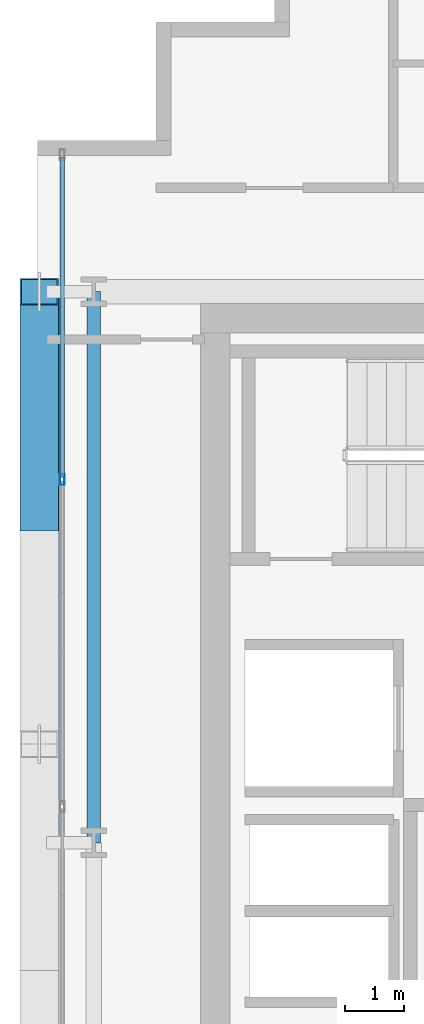
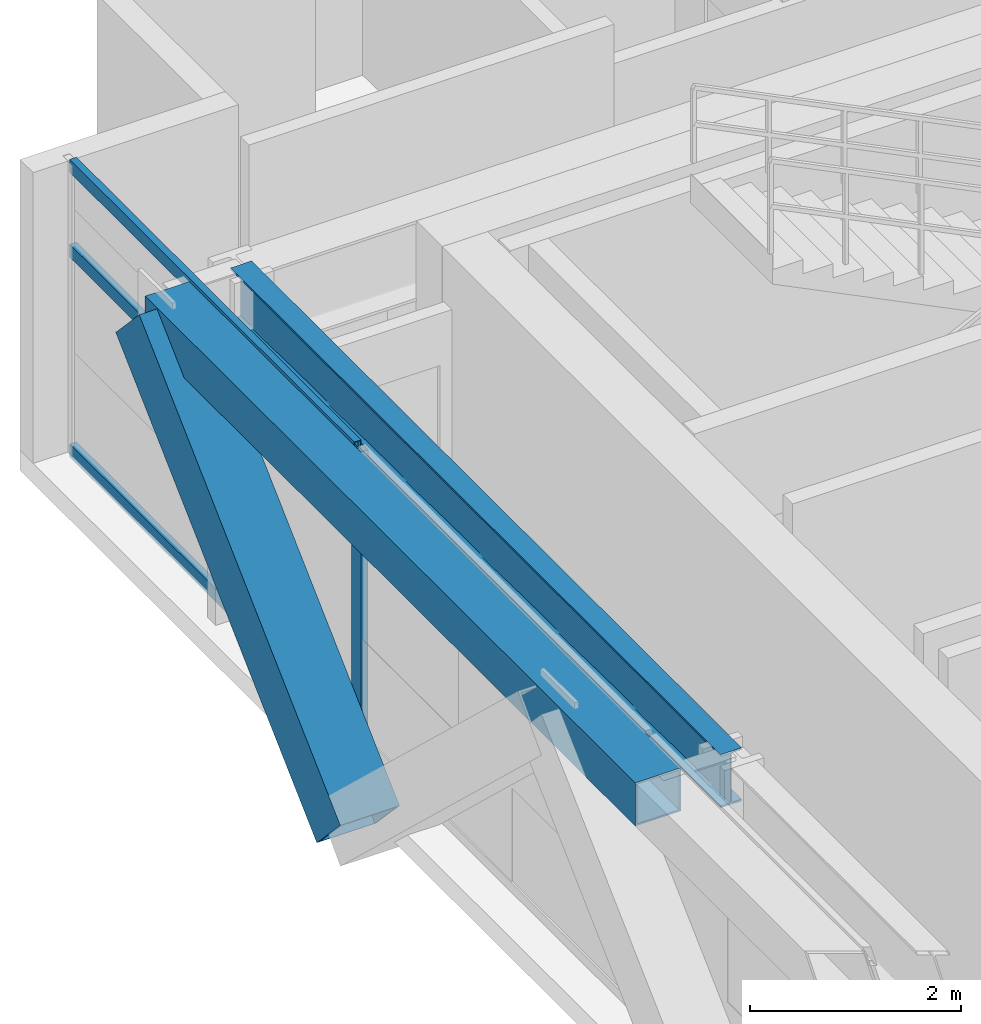
# One storey, part 8 of 32: 5 members, 2 beams, 1 element without a shape of its own.
"""IFC4 building model written with IfcOpenShell, lengths in metres."""

import ifcopenshell
import ifcopenshell.guid

model = None  # the IFC model being written
_history = None  # IfcOwnerHistory: only IFC2X3 demands one
_inside = {}  # id of a spatial element -> (the spatial element, [elements in it])
_under = {}  # id of a project, library or spatial element -> (it, [spatial elements below it])
_declared = {}  # id of a project -> (the project, [libraries it declares])
_typed = {}  # id of a type object -> (the type object, [elements of that type])
_made_of = {}  # id of a material, layer set ... -> (it, [elements and type objects made of it])


def new_model(schema):
    """Start an empty IFC model of exactly this schema.

    Asked for "IFC4X3", IfcOpenShell would pick the latest addendum, in which some entities
    have other attributes; the version numbers below select the first issue.
    IFC2X3 requires an IfcOwnerHistory on every rooted entity: one is made here for all.
    """
    global model, _history
    if schema == "IFC4X3":
        model = ifcopenshell.file(schema_version=(4, 3, 0, 0))
    else:
        model = ifcopenshell.file(schema=schema)
    _inside.clear()
    _under.clear()
    _declared.clear()
    _typed.clear()
    _made_of.clear()
    _history = None
    if model.schema == "IFC2X3":
        org = make("IfcOrganization", Name="unknown")
        user = make(
            "IfcPersonAndOrganization",
            ThePerson=make("IfcPerson", FamilyName="unknown"),
            TheOrganization=org,
        )
        app = make(
            "IfcApplication",
            ApplicationDeveloper=org,
            Version="unknown",
            ApplicationFullName="unknown",
            ApplicationIdentifier="unknown",
        )
        _history = make(
            "IfcOwnerHistory",
            OwningUser=user,
            OwningApplication=app,
            ChangeAction="ADDED",
            CreationDate=0,
        )
    return model


def make(cls, **values):
    """One entity of the class cls with the attributes given. An attribute that is None is left unset."""
    return model.create_entity(
        cls, **{name: value for name, value in values.items() if value is not None}
    )


def rooted(cls, **values):
    """An entity with a GlobalId (a new one), such as an element, a storey or a relation."""
    return make(cls, GlobalId=ifcopenshell.guid.new(), OwnerHistory=_history, **values)


def si_unit(unit_type, name, prefix=None):
    """IfcSIUnit, for example si_unit("LENGTHUNIT", "METRE", prefix="MILLI")."""
    return make("IfcSIUnit", UnitType=unit_type, Prefix=prefix, Name=name)


def assignment(units):
    """IfcUnitAssignment: the units of a project."""
    return None if units is None else make("IfcUnitAssignment", Units=units)


def point(xyz):
    """IfcCartesianPoint."""
    return None if xyz is None else make("IfcCartesianPoint", Coordinates=xyz)


def direction(xyz):
    """IfcDirection."""
    return None if xyz is None else make("IfcDirection", DirectionRatios=xyz)


def frame(location, z_axis=None, x_axis=None):
    """IfcAxis2Placement3D, a coordinate frame: its origin and axes. An axis left out is left unset."""
    return make(
        "IfcAxis2Placement3D",
        Location=point(location),
        Axis=direction(z_axis),
        RefDirection=direction(x_axis),
    )


def frame_2d(location, x_axis=None):
    """IfcAxis2Placement2D, a coordinate frame in the plane: its origin and x axis."""
    return make(
        "IfcAxis2Placement2D", Location=point(location), RefDirection=direction(x_axis)
    )


def origin():
    """The frame at (0, 0, 0) with its axes left unset."""
    return frame((0.0, 0.0, 0.0))


def origin_2d():
    """The frame at (0, 0) in the plane with its x axis left unset."""
    return frame_2d((0.0, 0.0))


def place(relative_to, where):
    """IfcLocalPlacement: puts the frame where relative to a parent placement (None: the world)."""
    return make(
        "IfcLocalPlacement", PlacementRelTo=relative_to, RelativePlacement=where
    )


def context(
    kind, dimensions, precision=None, world=None, true_north=None, identifier=None
):
    """IfcGeometricRepresentationContext, for example the 3D "Model" context."""
    return make(
        "IfcGeometricRepresentationContext",
        ContextIdentifier=identifier,
        ContextType=kind,
        CoordinateSpaceDimension=dimensions,
        Precision=precision,
        WorldCoordinateSystem=world,
        TrueNorth=true_north,
    )


def subcontext(parent, identifier, kind, view, scale=None):
    """IfcGeometricRepresentationSubContext, for example "Body" below "Model"."""
    return make(
        "IfcGeometricRepresentationSubContext",
        ContextIdentifier=identifier,
        ContextType=kind,
        ParentContext=parent,
        TargetScale=scale,
        TargetView=view,
    )


def project(units=None, contexts=None):
    """IfcProject with its units and contexts."""
    return rooted(
        "IfcProject",
        Name="project",
        RepresentationContexts=contexts,
        UnitsInContext=assignment(units),
    )


def spatial(cls, under=None, at=None, **own):
    """A site, building, storey or space (cls), placed at a placement, below another one or the project."""
    s = rooted(cls, ObjectPlacement=at, **own)
    if under is not None:
        _under.setdefault(under.id(), (under, []))[1].append(s)
    return s


def profile(cls, at=None, kind="AREA", **sizes):
    """A parametric profile (cls). Its sizes go by their IFC names, for example OverallWidth=200.0."""
    return make(cls, ProfileType=kind, Position=at, **sizes)


def hollow_rectangle(**sizes):
    """IfcRectangleHollowProfileDef."""
    return profile("IfcRectangleHollowProfileDef", **sizes)


def i_section(**sizes):
    """IfcIShapeProfileDef."""
    return profile("IfcIShapeProfileDef", **sizes)


def extrude(swept, where, along, depth):
    """IfcExtrudedAreaSolid: the profile swept, set in the frame where, extruded along a direction by depth."""
    return make(
        "IfcExtrudedAreaSolid",
        SweptArea=swept,
        Position=where,
        ExtrudedDirection=direction(along),
        Depth=depth,
    )


def shape(context_of_items, identifier, shape_type, items):
    """IfcShapeRepresentation: the items that make up one representation, for example the "Body"."""
    return make(
        "IfcShapeRepresentation",
        ContextOfItems=context_of_items,
        RepresentationIdentifier=identifier,
        RepresentationType=shape_type,
        Items=items,
    )


def source(mapping_origin, context_of_items, identifier, shape_type, items):
    """IfcRepresentationMap: a shape defined once, which mapped items show again and again."""
    return make(
        "IfcRepresentationMap",
        MappingOrigin=mapping_origin,
        MappedRepresentation=shape(context_of_items, identifier, shape_type, items),
    )


def transform(
    local_origin,
    x_axis=None,
    y_axis=None,
    z_axis=None,
    scale=None,
    scale2=None,
    scale3=None,
    uniform=True,
):
    """IfcCartesianTransformationOperator3D, or its non-uniform kind. x_axis, y_axis, z_axis: its Axis1, 2, 3."""
    if uniform:
        return make(
            "IfcCartesianTransformationOperator3D",
            Axis1=direction(x_axis),
            Axis2=direction(y_axis),
            LocalOrigin=point(local_origin),
            Scale=scale,
            Axis3=direction(z_axis),
        )
    return make(
        "IfcCartesianTransformationOperator3DnonUniform",
        Axis1=direction(x_axis),
        Axis2=direction(y_axis),
        LocalOrigin=point(local_origin),
        Scale=scale,
        Axis3=direction(z_axis),
        Scale2=scale2,
        Scale3=scale3,
    )


def mapped(mapping_source, mapping_target):
    """IfcMappedItem: shows the shape of a source again, moved by a transform."""
    return make(
        "IfcMappedItem", MappingSource=mapping_source, MappingTarget=mapping_target
    )


def material(Name=None, Category=None):
    """IfcMaterial."""
    return make("IfcMaterial", Name=Name, Category=Category)


def layer(
    of_material, thickness, ventilated=None, Name=None, Category=None, Priority=None
):
    """IfcMaterialLayer: one layer of a wall or slab, of a material (None: an air gap)."""
    return make(
        "IfcMaterialLayer",
        Material=of_material,
        LayerThickness=thickness,
        IsVentilated=ventilated,
        Name=Name,
        Category=Category,
        Priority=Priority,
    )


def layer_set(layers, Name=None):
    """IfcMaterialLayerSet."""
    return make("IfcMaterialLayerSet", MaterialLayers=layers, LayerSetName=Name)


def material_profile(
    of_material, cross_section, Name=None, Category=None, Priority=None
):
    """IfcMaterialProfile: a cross section and its material."""
    return make(
        "IfcMaterialProfile",
        Name=Name,
        Material=of_material,
        Profile=cross_section,
        Priority=Priority,
        Category=Category,
    )


def profile_set(profiles, Name=None, composite=None):
    """IfcMaterialProfileSet."""
    return make(
        "IfcMaterialProfileSet",
        Name=Name,
        MaterialProfiles=profiles,
        CompositeProfile=composite,
    )


def made_of(thing, what):
    """Note that an element or type object is made of a material, layer set ...; save() writes the relation."""
    if what is not None:
        _made_of.setdefault(what.id(), (what, []))[1].append(thing)
    return thing


def type_object(cls, material=None, **own):
    """A type object (cls), such as IfcWallType, which elements share."""
    return made_of(rooted(cls, **own), material)


def element(
    cls,
    number,
    at=None,
    inside=None,
    cuts=None,
    type_object=None,
    material=None,
    context=None,
    identifier="Body",
    shape_type=None,
    held_by="IfcProductDefinitionShape",
    body=None,
    shapes=None,
    **own,
):
    """One element of the class cls, such as IfcWall. Its Tag is "e" and its number.

    at: its placement. inside: the storey or other place that contains it. cuts: it is an
    opening in that element (IfcRelVoidsElement). A single representation is given by context,
    identifier, shape_type and body (its items); several are given by shapes. held_by: the class
    of the entity that holds the representations. save() writes the other relations.
    """
    e = rooted(cls, Tag="e%d" % number, ObjectPlacement=at, **own)
    if body is not None:
        shapes = [shape(context, identifier, shape_type, body)]
    if shapes is not None:
        e.Representation = make(held_by, Representations=shapes)
    if inside is not None:
        _inside.setdefault(inside.id(), (inside, []))[1].append(e)
    if cuts is not None:
        rooted(
            "IfcRelVoidsElement", RelatingBuildingElement=cuts, RelatedOpeningElement=e
        )
    if type_object is not None:
        _typed.setdefault(type_object.id(), (type_object, []))[1].append(e)
    return made_of(e, material)


def aggregate(whole, parts):
    """IfcRelAggregates: a whole, such as a stair, and the parts it consists of."""
    return rooted("IfcRelAggregates", RelatingObject=whole, RelatedObjects=parts)


def save(model, path):
    """Write the relations noted so far, then the file.

    IfcRelAggregates (storeys below a building ...), IfcRelContainedInSpatialStructure (elements
    in a storey), IfcRelDefinesByType, IfcRelAssociatesMaterial and IfcRelDeclares: one each for
    every whole, place, type object, material and project.
    """
    for whole, parts in _under.values():
        aggregate(whole, parts)
    for where, things in _inside.values():
        rooted(
            "IfcRelContainedInSpatialStructure",
            RelatedElements=things,
            RelatingStructure=where,
        )
    for kind, things in _typed.values():
        rooted("IfcRelDefinesByType", RelatedObjects=things, RelatingType=kind)
    for what, things in _made_of.values():
        rooted("IfcRelAssociatesMaterial", RelatedObjects=things, RelatingMaterial=what)
    for by, libraries in _declared.values():
        rooted("IfcRelDeclares", RelatingContext=by, RelatedDefinitions=libraries)
    model.write(path)


model = new_model("IFC4")

# Units and contexts
model_context = context("Model", 3, precision=1e-05, world=origin(), true_north=direction((0.0, 1.0)))
body_context = subcontext(model_context, "Body", "Model", "MODEL_VIEW")
ifc_project = project(units=[si_unit("LENGTHUNIT", "METRE"), si_unit("AREAUNIT", "SQUARE_METRE"), si_unit("VOLUMEUNIT", "CUBIC_METRE"), si_unit("PLANEANGLEUNIT", "RADIAN"), si_unit("MASSUNIT", "GRAM", prefix="KILO")], contexts=[model_context])

# Site, building, storey
site_placement = place(None, origin())
site = spatial("IfcSite", under=ifc_project, at=site_placement, CompositionType="ELEMENT")
building_placement = place(site_placement, origin())
building = spatial("IfcBuilding", under=site, at=building_placement, Name="Ocotamira Hotel", CompositionType="ELEMENT")
storey_placement = place(building_placement, frame((0.0, 0.0, 184.800048828125)))
storey = spatial("IfcBuildingStorey", under=building, at=storey_placement, Name="L46", CompositionType="ELEMENT", Elevation=184.800048828125)

# Beams
ifc_material_1 = material(Name="Steel ASTM A992 Grade 50", Category="steel")
ifc_material_profile_1 = material_profile(ifc_material_1, i_section(OverallWidth=0.22998046875, OverallDepth=0.616943359375, WebThickness=0.01318359375, FlangeThickness=0.022216796875, FilletRadius=0.012939453125, at=origin_2d()), Name="W24X94")
ifc_profile_set_1 = profile_set([ifc_material_profile_1], Name="Steel ASTM A992 Grade 50")
beam_type_1 = type_object("IfcBeamType", Name="BM-PRIM-W24X94", PredefinedType="BEAM", material=ifc_profile_set_1)
shared_shape_1 = source(origin(), body_context, "Body", "SweptSolid", [
    extrude(i_section(OverallWidth=0.22998046875, OverallDepth=0.616943359375, WebThickness=0.01318359375, FlangeThickness=0.022216796875, FilletRadius=0.012939453125, at=origin_2d()), origin(), (0.0, 0.0, 1.0), 9.300048828125),
])
beam_1_placement = place(storey_placement, frame((8.949951171875, 28.14990234375, 3.0615234375), z_axis=(0.0, 1.0, 0.0), x_axis=(-1.0, 0.0, 0.0)))
element("IfcBeam", 1, at=beam_1_placement, inside=storey, type_object=beam_type_1, Name="L46 Beam X8.95 Y28.15-37.45", PredefinedType="BEAM", context=body_context, shape_type="MappedRepresentation", body=[
    mapped(shared_shape_1, transform((0.0, 0.0, 0.0), scale=1.0)),
])
ifc_material_2 = material(Name="Steel ASTM A500 Grade C", Category="steel")
ifc_material_profile_2 = material_profile(ifc_material_2, hollow_rectangle(XDim=0.5, YDim=0.5, WallThickness=0.02001953125, at=origin_2d()), Name="HSS500X500X20")
ifc_profile_set_2 = profile_set([ifc_material_profile_2], Name="Steel ASTM A500 Grade C")
beam_type_2 = type_object("IfcBeamType", Name="BM-SPAN-HSS500", PredefinedType="USERDEFINED", material=ifc_profile_set_2)
shared_shape_2 = source(origin(), body_context, "Body", "SweptSolid", [
    extrude(hollow_rectangle(XDim=0.5, YDim=0.5, WallThickness=0.02001953125, at=origin_2d()), origin(), (0.0, 0.0, 1.0), 9.300048828125),
])
beam_2_placement = place(storey_placement, frame((8.14990234375, 28.14990234375, 3.119873046875), z_axis=(0.0, 1.0, 0.0), x_axis=(-1.0, 0.0, 0.0)))
element("IfcBeam", 2, at=beam_2_placement, inside=storey, type_object=beam_type_2, Name="L46 Edge Spandrel W Y28.15-37.45", ObjectType="SPANDREL", PredefinedType="USERDEFINED", context=body_context, shape_type="MappedRepresentation", body=[
    mapped(shared_shape_2, transform((0.0, 0.0, 0.0), scale=1.0)),
])

# Member
ifc_material_3 = material(Name="Pale-metal coated steel ASTM A913 Grade 65", Category="steel")
ifc_material_profile_3 = material_profile(ifc_material_3, hollow_rectangle(XDim=0.64990234375, YDim=0.64990234375, WallThickness=0.02197265625, at=origin_2d()), Name="BOX650X650X22")
ifc_profile_set_3 = profile_set([ifc_material_profile_3], Name="Pale-metal coated steel ASTM A913 Grade 65")
member_type_1 = type_object("IfcMemberType", Name="MEM-EXO-BOX650", PredefinedType="BRACE", material=ifc_profile_set_3)
shared_shape_3 = source(origin(), body_context, "Body", "SweptSolid", [
    extrude(hollow_rectangle(XDim=0.64990234375, YDim=0.64990234375, WallThickness=0.02197265625, at=origin_2d()), origin(), (0.0, 0.0, 1.0), 5.24658203125),
])
member_1_placement = place(storey_placement, frame((8.030029296875, 33.63330078125, -0.47998046875), z_axis=(0.0, 0.72746596067, 0.686143772154), x_axis=(-1.0, 0.0, 0.0)))
element("IfcMember", 3, at=member_1_placement, inside=storey, type_object=member_type_1, Name="L46 Exoskeleton Diagrid W2.2", PredefinedType="BRACE", context=body_context, shape_type="MappedRepresentation", body=[
    mapped(shared_shape_3, transform((0.0, 0.0, 0.0), scale=1.0)),
])

# Curtain wall, members
ifc_material_4 = material(Name="Anodised pale-metal aluminium and solar glass", Category="aluminium")
ifc_layer = layer(ifc_material_4, 0.199951171875)
ifc_layer_set = layer_set([ifc_layer], Name="Anodised pale-metal aluminium and solar glass")
curtain_wall_type = type_object("IfcCurtainWallType", Name="CW-SYS4-Z3", PredefinedType="NOTDEFINED", material=ifc_layer_set)
curtain_wall_placement = place(storey_placement, origin())
curtain_wall = element("IfcCurtainWall", 4, at=curtain_wall_placement, inside=storey, type_object=curtain_wall_type, Name="L46 Curtain Wall CW-4 CW-L46-W", PredefinedType="NOTDEFINED")
ifc_material_5 = material(Name="Anodised pale-metal aluminium 6063-T6", Category="aluminium")
ifc_material_profile_4 = material_profile(ifc_material_5, hollow_rectangle(XDim=0.074951171875, YDim=0.14990234375, WallThickness=0.006103515625, at=origin_2d()), Name="HSS150X75X6")
ifc_profile_set_4 = profile_set([ifc_material_profile_4], Name="Anodised pale-metal aluminium 6063-T6")
member_type_2 = type_object("IfcMemberType", Name="CWT-150X75", PredefinedType="USERDEFINED", material=ifc_profile_set_4)
shared_shape_4 = source(origin(), body_context, "Body", "SweptSolid", [
    extrude(hollow_rectangle(XDim=0.074951171875, YDim=0.14990234375, WallThickness=0.006103515625, at=origin_2d()), origin(), (0.0, 0.0, 1.0), 5.39990234375),
])
member_2_placement = place(storey_placement, frame((8.419921875, 34.320068359375, 0.037353515625), z_axis=(0.0, 1.0, 0.0), x_axis=(-1.0, 0.0, 0.0)))
member_2 = element("IfcMember", 5, at=member_2_placement, type_object=member_type_2, Name="CW-4 transom 5.1", ObjectType="TRANSOM", PredefinedType="USERDEFINED", context=body_context, shape_type="MappedRepresentation", body=[
    mapped(shared_shape_4, transform((0.0, 0.0, 0.0), scale=1.0)),
])
member_3_placement = place(storey_placement, frame((8.419921875, 34.320068359375, 2.349853515625), z_axis=(0.0, 1.0, 0.0), x_axis=(-1.0, 0.0, 0.0)))
member_3 = element("IfcMember", 6, at=member_3_placement, type_object=member_type_2, Name="CW-4 transom 5.2", ObjectType="TRANSOM", PredefinedType="USERDEFINED", context=body_context, shape_type="MappedRepresentation", body=[
    mapped(shared_shape_4, transform((0.0, 0.0, 0.0), scale=1.0)),
])
member_4_placement = place(storey_placement, frame((8.419921875, 34.320068359375, 3.33251953125), z_axis=(0.0, 1.0, 0.0), x_axis=(-1.0, 0.0, 0.0)))
member_4 = element("IfcMember", 7, at=member_4_placement, type_object=member_type_2, Name="CW-4 transom 5.3", ObjectType="TRANSOM", PredefinedType="USERDEFINED", context=body_context, shape_type="MappedRepresentation", body=[
    mapped(shared_shape_4, transform((0.0, 0.0, 0.0), scale=1.0)),
])
ifc_material_profile_5 = material_profile(ifc_material_5, hollow_rectangle(XDim=0.080078125, YDim=0.179931640625, WallThickness=0.006103515625, at=origin_2d()), Name="HSS180X80X6")
ifc_profile_set_5 = profile_set([ifc_material_profile_5], Name="Anodised pale-metal aluminium 6063-T6")
member_type_3 = type_object("IfcMemberType", Name="CWM-180X75", PredefinedType="MULLION", material=ifc_profile_set_5)
shared_shape_5 = source(origin(), body_context, "Body", "SweptSolid", [
    extrude(hollow_rectangle(XDim=0.080078125, YDim=0.179931640625, WallThickness=0.006103515625, at=origin_2d()), origin(), (0.0, 0.0, 1.0), 3.369873046875),
])
member_5_placement = place(storey_placement, frame((8.419921875, 34.280029296875, 0.0), z_axis=(0.0, 0.0, 1.0), x_axis=(-1.0, 0.0, 0.0)))
member_5 = element("IfcMember", 8, at=member_5_placement, type_object=member_type_3, Name="CW-4 mullion 5", PredefinedType="MULLION", context=body_context, shape_type="MappedRepresentation", body=[
    mapped(shared_shape_5, transform((0.0, 0.0, 0.0), scale=1.0)),
])
aggregate(curtain_wall, [member_5, member_2, member_3, member_4])

save(model, "model.ifc")
